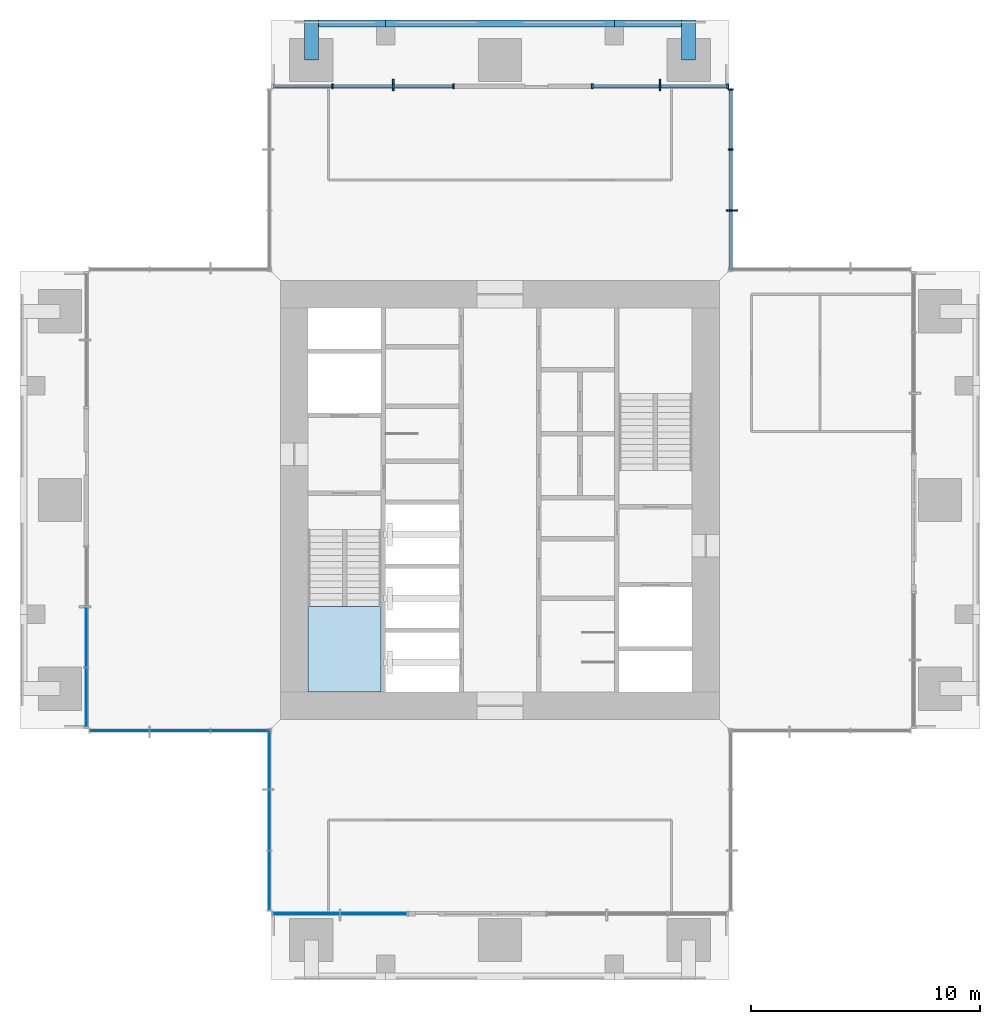
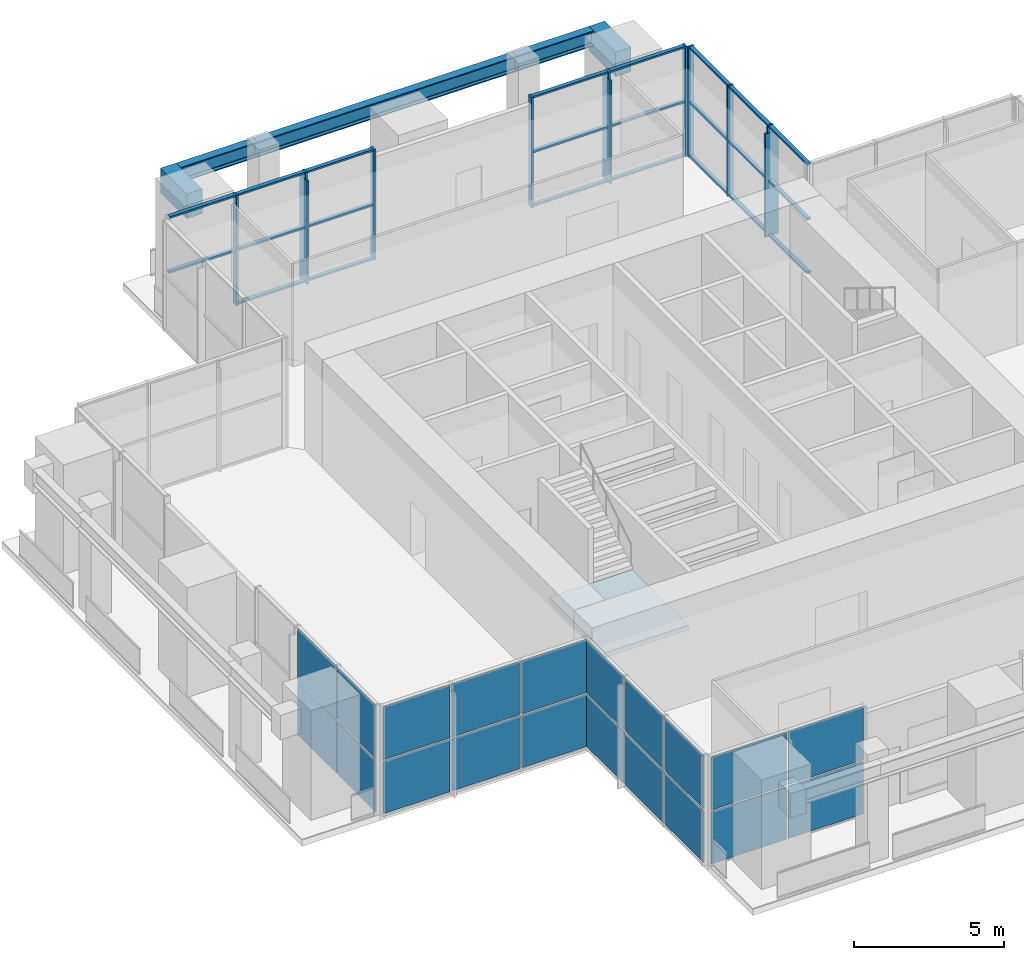
# One storey, part 5 of 11: 35 members, 20 plates, 5 beams, 1 slab, 8 elements without a shape of their own.
"""IFC4 building model written with IfcOpenShell, lengths in metres."""

from ifc_helpers import new_model, si_unit, direction, frame, origin, origin_2d, place, context, subcontext, project, spatial, polyline, rectangle, i_section, outline, extrude, material, layer, layer_set, material_profile, profile_set, type_object, element, aggregate, save


model = new_model("IFC4")

# Units and contexts
model_context = context("Model", 3, precision=1e-05, world=origin(), true_north=direction((0.0, 1.0)))
body_context = subcontext(model_context, "Body", "Model", "MODEL_VIEW")
ifc_project = project(units=[si_unit("LENGTHUNIT", "METRE"), si_unit("AREAUNIT", "SQUARE_METRE"), si_unit("VOLUMEUNIT", "CUBIC_METRE"), si_unit("PLANEANGLEUNIT", "RADIAN"), si_unit("MASSUNIT", "GRAM", prefix="KILO")], contexts=[model_context])

# Site, building, storey
site_placement = place(None, origin())
site = spatial("IfcSite", under=ifc_project, at=site_placement, CompositionType="ELEMENT")
building_placement = place(site_placement, origin())
building = spatial("IfcBuilding", under=site, at=building_placement, Name="Svetlomir Tower", CompositionType="ELEMENT")
storey_placement = place(building_placement, frame((0.0, 0.0, 273.39990234375)))
storey = spatial("IfcBuildingStorey", under=building, at=storey_placement, Name="L65", CompositionType="ELEMENT", Elevation=273.39990234375)

# Curtain wall, member
ifc_material_1 = material(Name="Bronze anodised aluminium curtain wall", Category="aluminium")
curtain_wall_type = type_object("IfcCurtainWallType", Name="CURTAIN WALL CW4 EXECUTIVE", PredefinedType="NOTDEFINED", material=ifc_material_1)
curtain_wall_1_placement = place(storey_placement, origin())
curtain_wall_1 = element("IfcCurtainWall", 1, at=curtain_wall_1_placement, inside=storey, type_object=curtain_wall_type, Name="Curtain wall CW4 L65", PredefinedType="NOTDEFINED")
ifc_material_2 = material(Name="Bronze anodised aluminium", Category="aluminium")
ifc_material_profile_1 = material_profile(ifc_material_2, rectangle(XDim=0.080078125, YDim=0.5, at=origin_2d()), Name="FIN 80x500")
ifc_profile_set_1 = profile_set([ifc_material_profile_1], Name="Bronze anodised aluminium 6063-T6")
member_type_1 = type_object("IfcMemberType", Name="BRONZE FIN 80x500", PredefinedType="USERDEFINED", material=ifc_profile_set_1)
member_1_placement = place(storey_placement, frame((31.14990234375, 33.666748046875, 0.0), z_axis=(0.0, 0.0, 1.0), x_axis=(0.0, 1.0, 0.0)))
member_1 = element("IfcMember", 2, at=member_1_placement, type_object=member_type_1, Name="Bronze fin L65", ObjectType="FIN", PredefinedType="USERDEFINED", context=body_context, shape_type="SweptSolid", body=[
    extrude(rectangle(XDim=0.080078125, YDim=0.5, at=origin_2d()), origin(), (0.0, 0.0, 1.0), 4.2001953125),
])

curtain_wall_2_placement = place(storey_placement, origin())
curtain_wall_2 = element("IfcCurtainWall", 3, at=curtain_wall_2_placement, inside=storey, type_object=curtain_wall_type, Name="Curtain wall CW4 L65", PredefinedType="NOTDEFINED")
member_2_placement = place(storey_placement, frame((28.0, 39.14990234375, 0.0), z_axis=(0.0, 0.0, 1.0), x_axis=(1.0, 0.0, 0.0)))
member_2 = element("IfcMember", 4, at=member_2_placement, type_object=member_type_1, Name="Bronze fin L65", ObjectType="FIN", PredefinedType="USERDEFINED", context=body_context, shape_type="SweptSolid", body=[
    extrude(rectangle(XDim=0.080078125, YDim=0.5, at=origin_2d()), origin(), (0.0, 0.0, 1.0), 4.2001953125),
])

curtain_wall_3_placement = place(storey_placement, origin())
curtain_wall_3 = element("IfcCurtainWall", 5, at=curtain_wall_3_placement, inside=storey, type_object=curtain_wall_type, Name="Curtain wall CW4 L65", PredefinedType="NOTDEFINED")
member_3_placement = place(storey_placement, frame((16.333251953125, 39.14990234375, 0.0), z_axis=(0.0, 0.0, 1.0), x_axis=(1.0, 0.0, 0.0)))
member_3 = element("IfcMember", 6, at=member_3_placement, type_object=member_type_1, Name="Bronze fin L65", ObjectType="FIN", PredefinedType="USERDEFINED", context=body_context, shape_type="SweptSolid", body=[
    extrude(rectangle(XDim=0.080078125, YDim=0.5, at=origin_2d()), origin(), (0.0, 0.0, 1.0), 4.2001953125),
])

# Member
ifc_material_3 = material(Name="Bronze anodised aluminium", Category="aluminium")
ifc_material_profile_2 = material_profile(ifc_material_3, rectangle(XDim=0.074951171875, YDim=0.219970703125, at=origin_2d()), Name="AL 75x220")
ifc_profile_set_2 = profile_set([ifc_material_profile_2], Name="Bronze anodised aluminium 6063-T6")
member_type_2 = type_object("IfcMemberType", Name="CW4 MULLION 75x220", PredefinedType="MULLION", material=ifc_profile_set_2)
member_4_placement = place(storey_placement, frame((31.10009765625, 33.666748046875, 0.0), z_axis=(0.0, 0.0, 1.0), x_axis=(0.0, 1.0, 0.0)))
member_4 = element("IfcMember", 7, at=member_4_placement, type_object=member_type_2, Name="CW4 mullion 2", PredefinedType="MULLION", context=body_context, shape_type="SweptSolid", body=[
    extrude(rectangle(XDim=0.074951171875, YDim=0.219970703125, at=origin_2d()), origin(), (0.0, 0.0, 1.0), 4.5),
])

member_5_placement = place(storey_placement, frame((31.10009765625, 36.333251953125, 0.0), z_axis=(0.0, 0.0, 1.0), x_axis=(0.0, 1.0, 0.0)))
member_5 = element("IfcMember", 8, at=member_5_placement, type_object=member_type_2, Name="CW4 mullion 3", PredefinedType="MULLION", context=body_context, shape_type="SweptSolid", body=[
    extrude(rectangle(XDim=0.074951171875, YDim=0.219970703125, at=origin_2d()), origin(), (0.0, 0.0, 1.0), 4.5),
])

member_6_placement = place(storey_placement, frame((31.10009765625, 38.96240234375, 0.0), z_axis=(0.0, 0.0, 1.0), x_axis=(0.0, 1.0, 0.0)))
member_6 = element("IfcMember", 9, at=member_6_placement, type_object=member_type_2, Name="CW4 mullion 4", PredefinedType="MULLION", context=body_context, shape_type="SweptSolid", body=[
    extrude(rectangle(XDim=0.074951171875, YDim=0.219970703125, at=origin_2d()), origin(), (0.0, 0.0, 1.0), 4.5),
])

member_7_placement = place(storey_placement, frame((30.96240234375, 39.10009765625, 0.0), z_axis=(0.0, 0.0, 1.0), x_axis=(-1.0, 0.0, 0.0)))
member_7 = element("IfcMember", 10, at=member_7_placement, type_object=member_type_2, Name="CW4 mullion 1", PredefinedType="MULLION", context=body_context, shape_type="SweptSolid", body=[
    extrude(rectangle(XDim=0.074951171875, YDim=0.219970703125, at=origin_2d()), origin(), (0.0, 0.0, 1.0), 4.5),
])

member_8_placement = place(storey_placement, frame((28.0, 39.10009765625, 0.0), z_axis=(0.0, 0.0, 1.0), x_axis=(-1.0, 0.0, 0.0)))
member_8 = element("IfcMember", 11, at=member_8_placement, type_object=member_type_2, Name="CW4 mullion 2", PredefinedType="MULLION", context=body_context, shape_type="SweptSolid", body=[
    extrude(rectangle(XDim=0.074951171875, YDim=0.219970703125, at=origin_2d()), origin(), (0.0, 0.0, 1.0), 4.5),
])

member_9_placement = place(storey_placement, frame((25.03759765625, 39.10009765625, 0.0), z_axis=(0.0, 0.0, 1.0), x_axis=(-1.0, 0.0, 0.0)))
member_9 = element("IfcMember", 12, at=member_9_placement, type_object=member_type_2, Name="CW4 mullion 3", PredefinedType="MULLION", context=body_context, shape_type="SweptSolid", body=[
    extrude(rectangle(XDim=0.074951171875, YDim=0.219970703125, at=origin_2d()), origin(), (0.0, 0.0, 1.0), 4.5),
])

member_10_placement = place(storey_placement, frame((18.96240234375, 39.10009765625, 0.0), z_axis=(0.0, 0.0, 1.0), x_axis=(-1.0, 0.0, 0.0)))
member_10 = element("IfcMember", 13, at=member_10_placement, type_object=member_type_2, Name="CW4 mullion 1", PredefinedType="MULLION", context=body_context, shape_type="SweptSolid", body=[
    extrude(rectangle(XDim=0.074951171875, YDim=0.219970703125, at=origin_2d()), origin(), (0.0, 0.0, 1.0), 4.5),
])

member_11_placement = place(storey_placement, frame((16.333251953125, 39.10009765625, 0.0), z_axis=(0.0, 0.0, 1.0), x_axis=(-1.0, 0.0, 0.0)))
member_11 = element("IfcMember", 14, at=member_11_placement, type_object=member_type_2, Name="CW4 mullion 2", PredefinedType="MULLION", context=body_context, shape_type="SweptSolid", body=[
    extrude(rectangle(XDim=0.074951171875, YDim=0.219970703125, at=origin_2d()), origin(), (0.0, 0.0, 1.0), 4.5),
])

member_12_placement = place(storey_placement, frame((13.666748046875, 39.10009765625, 0.0), z_axis=(0.0, 0.0, 1.0), x_axis=(-1.0, 0.0, 0.0)))
member_12 = element("IfcMember", 15, at=member_12_placement, type_object=member_type_2, Name="CW4 mullion 3", PredefinedType="MULLION", context=body_context, shape_type="SweptSolid", body=[
    extrude(rectangle(XDim=0.074951171875, YDim=0.219970703125, at=origin_2d()), origin(), (0.0, 0.0, 1.0), 4.5),
])

ifc_material_4 = material(Name="Bronze anodised aluminium", Category="aluminium")
ifc_material_profile_3 = material_profile(ifc_material_4, rectangle(XDim=0.14990234375, YDim=0.074951171875, at=origin_2d()), Name="AL 150x75")
ifc_profile_set_3 = profile_set([ifc_material_profile_3], Name="Bronze anodised aluminium 6063-T6")
member_type_3 = type_object("IfcMemberType", Name="CW4 TRANSOM 75x150", PredefinedType="USERDEFINED", material=ifc_profile_set_3)
member_13_placement = place(storey_placement, frame((31.10009765625, 31.074951171875, 0.03759765625), z_axis=(0.0, 1.0, 0.0), x_axis=(-1.0, 0.0, 0.0)))
member_13 = element("IfcMember", 16, at=member_13_placement, type_object=member_type_3, Name="CW4 transom 1.1", ObjectType="TRANSOM", PredefinedType="USERDEFINED", context=body_context, shape_type="SweptSolid", body=[
    extrude(rectangle(XDim=0.14990234375, YDim=0.074951171875, at=origin_2d()), origin(), (0.0, 0.0, 1.0), 2.55419921875),
])

member_14_placement = place(storey_placement, frame((31.10009765625, 31.074951171875, 2.231201171875), z_axis=(0.0, 1.0, 0.0), x_axis=(-1.0, 0.0, 0.0)))
member_14 = element("IfcMember", 17, at=member_14_placement, type_object=member_type_3, Name="CW4 transom 1.2", ObjectType="TRANSOM", PredefinedType="USERDEFINED", context=body_context, shape_type="SweptSolid", body=[
    extrude(rectangle(XDim=0.14990234375, YDim=0.074951171875, at=origin_2d()), origin(), (0.0, 0.0, 1.0), 2.55419921875),
])

member_15_placement = place(storey_placement, frame((31.10009765625, 31.074951171875, 4.462646484375), z_axis=(0.0, 1.0, 0.0), x_axis=(-1.0, 0.0, 0.0)))
member_15 = element("IfcMember", 18, at=member_15_placement, type_object=member_type_3, Name="CW4 transom 1.3", ObjectType="TRANSOM", PredefinedType="USERDEFINED", context=body_context, shape_type="SweptSolid", body=[
    extrude(rectangle(XDim=0.14990234375, YDim=0.074951171875, at=origin_2d()), origin(), (0.0, 0.0, 1.0), 2.55419921875),
])

member_16_placement = place(storey_placement, frame((31.10009765625, 33.7041015625, 0.03759765625), z_axis=(0.0, 1.0, 0.0), x_axis=(-1.0, 0.0, 0.0)))
member_16 = element("IfcMember", 19, at=member_16_placement, type_object=member_type_3, Name="CW4 transom 2.1", ObjectType="TRANSOM", PredefinedType="USERDEFINED", context=body_context, shape_type="SweptSolid", body=[
    extrude(rectangle(XDim=0.14990234375, YDim=0.074951171875, at=origin_2d()), origin(), (0.0, 0.0, 1.0), 2.591796875),
])

member_17_placement = place(storey_placement, frame((31.10009765625, 33.7041015625, 2.231201171875), z_axis=(0.0, 1.0, 0.0), x_axis=(-1.0, 0.0, 0.0)))
member_17 = element("IfcMember", 20, at=member_17_placement, type_object=member_type_3, Name="CW4 transom 2.2", ObjectType="TRANSOM", PredefinedType="USERDEFINED", context=body_context, shape_type="SweptSolid", body=[
    extrude(rectangle(XDim=0.14990234375, YDim=0.074951171875, at=origin_2d()), origin(), (0.0, 0.0, 1.0), 2.591796875),
])

member_18_placement = place(storey_placement, frame((31.10009765625, 33.7041015625, 4.462646484375), z_axis=(0.0, 1.0, 0.0), x_axis=(-1.0, 0.0, 0.0)))
member_18 = element("IfcMember", 21, at=member_18_placement, type_object=member_type_3, Name="CW4 transom 2.3", ObjectType="TRANSOM", PredefinedType="USERDEFINED", context=body_context, shape_type="SweptSolid", body=[
    extrude(rectangle(XDim=0.14990234375, YDim=0.074951171875, at=origin_2d()), origin(), (0.0, 0.0, 1.0), 2.591796875),
])

member_19_placement = place(storey_placement, frame((31.10009765625, 36.370849609375, 0.03759765625), z_axis=(0.0, 1.0, 0.0), x_axis=(-1.0, 0.0, 0.0)))
member_19 = element("IfcMember", 22, at=member_19_placement, type_object=member_type_3, Name="CW4 transom 3.1", ObjectType="TRANSOM", PredefinedType="USERDEFINED", context=body_context, shape_type="SweptSolid", body=[
    extrude(rectangle(XDim=0.14990234375, YDim=0.074951171875, at=origin_2d()), origin(), (0.0, 0.0, 1.0), 2.55419921875),
])

member_20_placement = place(storey_placement, frame((31.10009765625, 36.370849609375, 2.231201171875), z_axis=(0.0, 1.0, 0.0), x_axis=(-1.0, 0.0, 0.0)))
member_20 = element("IfcMember", 23, at=member_20_placement, type_object=member_type_3, Name="CW4 transom 3.2", ObjectType="TRANSOM", PredefinedType="USERDEFINED", context=body_context, shape_type="SweptSolid", body=[
    extrude(rectangle(XDim=0.14990234375, YDim=0.074951171875, at=origin_2d()), origin(), (0.0, 0.0, 1.0), 2.55419921875),
])

member_21_placement = place(storey_placement, frame((31.10009765625, 36.370849609375, 4.462646484375), z_axis=(0.0, 1.0, 0.0), x_axis=(-1.0, 0.0, 0.0)))
member_21 = element("IfcMember", 24, at=member_21_placement, type_object=member_type_3, Name="CW4 transom 3.3", ObjectType="TRANSOM", PredefinedType="USERDEFINED", context=body_context, shape_type="SweptSolid", body=[
    extrude(rectangle(XDim=0.14990234375, YDim=0.074951171875, at=origin_2d()), origin(), (0.0, 0.0, 1.0), 2.55419921875),
])

aggregate(curtain_wall_1, [member_4, member_5, member_6, member_13, member_14, member_15, member_16, member_17, member_18, member_19, member_20, member_21, member_1])

member_22_placement = place(storey_placement, frame((30.925048828125, 39.10009765625, 0.03759765625), z_axis=(-1.0, 0.0, 0.0), x_axis=(0.0, -1.0, 0.0)))
member_22 = element("IfcMember", 25, at=member_22_placement, type_object=member_type_3, Name="CW4 transom 1.1", ObjectType="TRANSOM", PredefinedType="USERDEFINED", context=body_context, shape_type="SweptSolid", body=[
    extrude(rectangle(XDim=0.14990234375, YDim=0.074951171875, at=origin_2d()), origin(), (0.0, 0.0, 1.0), 2.887451171875),
])

member_23_placement = place(storey_placement, frame((30.925048828125, 39.10009765625, 2.231201171875), z_axis=(-1.0, 0.0, 0.0), x_axis=(0.0, -1.0, 0.0)))
member_23 = element("IfcMember", 26, at=member_23_placement, type_object=member_type_3, Name="CW4 transom 1.2", ObjectType="TRANSOM", PredefinedType="USERDEFINED", context=body_context, shape_type="SweptSolid", body=[
    extrude(rectangle(XDim=0.14990234375, YDim=0.074951171875, at=origin_2d()), origin(), (0.0, 0.0, 1.0), 2.887451171875),
])

member_24_placement = place(storey_placement, frame((30.925048828125, 39.10009765625, 4.462646484375), z_axis=(-1.0, 0.0, 0.0), x_axis=(0.0, -1.0, 0.0)))
member_24 = element("IfcMember", 27, at=member_24_placement, type_object=member_type_3, Name="CW4 transom 1.3", ObjectType="TRANSOM", PredefinedType="USERDEFINED", context=body_context, shape_type="SweptSolid", body=[
    extrude(rectangle(XDim=0.14990234375, YDim=0.074951171875, at=origin_2d()), origin(), (0.0, 0.0, 1.0), 2.887451171875),
])

member_25_placement = place(storey_placement, frame((27.96240234375, 39.10009765625, 0.03759765625), z_axis=(-1.0, 0.0, 0.0), x_axis=(0.0, -1.0, 0.0)))
member_25 = element("IfcMember", 28, at=member_25_placement, type_object=member_type_3, Name="CW4 transom 2.1", ObjectType="TRANSOM", PredefinedType="USERDEFINED", context=body_context, shape_type="SweptSolid", body=[
    extrude(rectangle(XDim=0.14990234375, YDim=0.074951171875, at=origin_2d()), origin(), (0.0, 0.0, 1.0), 2.887451171875),
])

member_26_placement = place(storey_placement, frame((27.96240234375, 39.10009765625, 2.231201171875), z_axis=(-1.0, 0.0, 0.0), x_axis=(0.0, -1.0, 0.0)))
member_26 = element("IfcMember", 29, at=member_26_placement, type_object=member_type_3, Name="CW4 transom 2.2", ObjectType="TRANSOM", PredefinedType="USERDEFINED", context=body_context, shape_type="SweptSolid", body=[
    extrude(rectangle(XDim=0.14990234375, YDim=0.074951171875, at=origin_2d()), origin(), (0.0, 0.0, 1.0), 2.887451171875),
])

member_27_placement = place(storey_placement, frame((27.96240234375, 39.10009765625, 4.462646484375), z_axis=(-1.0, 0.0, 0.0), x_axis=(0.0, -1.0, 0.0)))
member_27 = element("IfcMember", 30, at=member_27_placement, type_object=member_type_3, Name="CW4 transom 2.3", ObjectType="TRANSOM", PredefinedType="USERDEFINED", context=body_context, shape_type="SweptSolid", body=[
    extrude(rectangle(XDim=0.14990234375, YDim=0.074951171875, at=origin_2d()), origin(), (0.0, 0.0, 1.0), 2.887451171875),
])

aggregate(curtain_wall_2, [member_7, member_8, member_9, member_22, member_23, member_24, member_25, member_26, member_27, member_2])

member_28_placement = place(storey_placement, frame((18.925048828125, 39.10009765625, 0.03759765625), z_axis=(-1.0, 0.0, 0.0), x_axis=(0.0, -1.0, 0.0)))
member_28 = element("IfcMember", 31, at=member_28_placement, type_object=member_type_3, Name="CW4 transom 1.1", ObjectType="TRANSOM", PredefinedType="USERDEFINED", context=body_context, shape_type="SweptSolid", body=[
    extrude(rectangle(XDim=0.14990234375, YDim=0.074951171875, at=origin_2d()), origin(), (0.0, 0.0, 1.0), 2.55419921875),
])

member_29_placement = place(storey_placement, frame((18.925048828125, 39.10009765625, 2.231201171875), z_axis=(-1.0, 0.0, 0.0), x_axis=(0.0, -1.0, 0.0)))
member_29 = element("IfcMember", 32, at=member_29_placement, type_object=member_type_3, Name="CW4 transom 1.2", ObjectType="TRANSOM", PredefinedType="USERDEFINED", context=body_context, shape_type="SweptSolid", body=[
    extrude(rectangle(XDim=0.14990234375, YDim=0.074951171875, at=origin_2d()), origin(), (0.0, 0.0, 1.0), 2.55419921875),
])

member_30_placement = place(storey_placement, frame((18.925048828125, 39.10009765625, 4.462646484375), z_axis=(-1.0, 0.0, 0.0), x_axis=(0.0, -1.0, 0.0)))
member_30 = element("IfcMember", 33, at=member_30_placement, type_object=member_type_3, Name="CW4 transom 1.3", ObjectType="TRANSOM", PredefinedType="USERDEFINED", context=body_context, shape_type="SweptSolid", body=[
    extrude(rectangle(XDim=0.14990234375, YDim=0.074951171875, at=origin_2d()), origin(), (0.0, 0.0, 1.0), 2.55419921875),
])

member_31_placement = place(storey_placement, frame((16.2958984375, 39.10009765625, 0.03759765625), z_axis=(-1.0, 0.0, 0.0), x_axis=(0.0, -1.0, 0.0)))
member_31 = element("IfcMember", 34, at=member_31_placement, type_object=member_type_3, Name="CW4 transom 2.1", ObjectType="TRANSOM", PredefinedType="USERDEFINED", context=body_context, shape_type="SweptSolid", body=[
    extrude(rectangle(XDim=0.14990234375, YDim=0.074951171875, at=origin_2d()), origin(), (0.0, 0.0, 1.0), 2.591796875),
])

member_32_placement = place(storey_placement, frame((16.2958984375, 39.10009765625, 2.231201171875), z_axis=(-1.0, 0.0, 0.0), x_axis=(0.0, -1.0, 0.0)))
member_32 = element("IfcMember", 35, at=member_32_placement, type_object=member_type_3, Name="CW4 transom 2.2", ObjectType="TRANSOM", PredefinedType="USERDEFINED", context=body_context, shape_type="SweptSolid", body=[
    extrude(rectangle(XDim=0.14990234375, YDim=0.074951171875, at=origin_2d()), origin(), (0.0, 0.0, 1.0), 2.591796875),
])

member_33_placement = place(storey_placement, frame((16.2958984375, 39.10009765625, 4.462646484375), z_axis=(-1.0, 0.0, 0.0), x_axis=(0.0, -1.0, 0.0)))
member_33 = element("IfcMember", 36, at=member_33_placement, type_object=member_type_3, Name="CW4 transom 2.3", ObjectType="TRANSOM", PredefinedType="USERDEFINED", context=body_context, shape_type="SweptSolid", body=[
    extrude(rectangle(XDim=0.14990234375, YDim=0.074951171875, at=origin_2d()), origin(), (0.0, 0.0, 1.0), 2.591796875),
])

member_34_placement = place(storey_placement, frame((13.629150390625, 39.10009765625, 2.231201171875), z_axis=(-1.0, 0.0, 0.0), x_axis=(0.0, -1.0, 0.0)))
member_34 = element("IfcMember", 37, at=member_34_placement, type_object=member_type_3, Name="CW4 transom 3.2", ObjectType="TRANSOM", PredefinedType="USERDEFINED", context=body_context, shape_type="SweptSolid", body=[
    extrude(rectangle(XDim=0.14990234375, YDim=0.074951171875, at=origin_2d()), origin(), (0.0, 0.0, 1.0), 2.55419921875),
])

member_35_placement = place(storey_placement, frame((13.629150390625, 39.10009765625, 4.462646484375), z_axis=(-1.0, 0.0, 0.0), x_axis=(0.0, -1.0, 0.0)))
member_35 = element("IfcMember", 38, at=member_35_placement, type_object=member_type_3, Name="CW4 transom 3.3", ObjectType="TRANSOM", PredefinedType="USERDEFINED", context=body_context, shape_type="SweptSolid", body=[
    extrude(rectangle(XDim=0.14990234375, YDim=0.074951171875, at=origin_2d()), origin(), (0.0, 0.0, 1.0), 2.55419921875),
])

aggregate(curtain_wall_3, [member_10, member_11, member_12, member_28, member_29, member_30, member_31, member_32, member_33, member_34, member_35, member_3])

# Beams
ifc_material_5 = material(Name="Steel S355", Category="steel")
ifc_material_profile_4 = material_profile(ifc_material_5, i_section(OverallWidth=0.304931640625, OverallDepth=0.6201171875, WebThickness=0.02099609375, FlangeThickness=0.0400390625, FilletRadius=0.027099609375, at=origin_2d()), Name="HEM 600")
ifc_profile_set_4 = profile_set([ifc_material_profile_4], Name="Steel S355")
beam_type_1 = type_object("IfcBeamType", Name="EDGE BEAM HEM 600", PredefinedType="SPANDREL", material=ifc_profile_set_4)
beam_1_placement = place(storey_placement, frame((13.050048828125, 41.847412109375, 3.89013671875), z_axis=(1.0, 0.0, 0.0), x_axis=(0.0, 1.0, 0.0)))
element("IfcBeam", 39, at=beam_1_placement, inside=storey, type_object=beam_type_1, Name="Edge beam 11/42 to 16/42 under L66", PredefinedType="SPANDREL", context=body_context, shape_type="SweptSolid", body=[
    extrude(i_section(OverallWidth=0.304931640625, OverallDepth=0.6201171875, WebThickness=0.02099609375, FlangeThickness=0.0400390625, FilletRadius=0.027099609375, at=origin_2d()), origin(), (0.0, 0.0, 1.0), 2.949951171875),
])
beam_2_placement = place(storey_placement, frame((16.0, 41.847412109375, 3.89013671875), z_axis=(1.0, 0.0, 0.0), x_axis=(0.0, 1.0, 0.0)))
element("IfcBeam", 40, at=beam_2_placement, inside=storey, type_object=beam_type_1, Name="Edge beam 16/42 to 26/42 under L66", PredefinedType="SPANDREL", context=body_context, shape_type="SweptSolid", body=[
    extrude(i_section(OverallWidth=0.304931640625, OverallDepth=0.6201171875, WebThickness=0.02099609375, FlangeThickness=0.0400390625, FilletRadius=0.027099609375, at=origin_2d()), origin(), (0.0, 0.0, 1.0), 10.0),
])
beam_3_placement = place(storey_placement, frame((26.0, 41.847412109375, 3.89013671875), z_axis=(1.0, 0.0, 0.0), x_axis=(0.0, 1.0, 0.0)))
element("IfcBeam", 41, at=beam_3_placement, inside=storey, type_object=beam_type_1, Name="Edge beam 26/42 to 31/42 under L66", PredefinedType="SPANDREL", context=body_context, shape_type="SweptSolid", body=[
    extrude(i_section(OverallWidth=0.304931640625, OverallDepth=0.6201171875, WebThickness=0.02099609375, FlangeThickness=0.0400390625, FilletRadius=0.027099609375, at=origin_2d()), origin(), (0.0, 0.0, 1.0), 2.949951171875),
])
ifc_material_6 = material(Name="Concrete C60/75", Category="concrete")
ifc_material_profile_5 = material_profile(ifc_material_6, rectangle(XDim=0.60009765625, YDim=1.0, at=origin_2d()), Name="RC 600x1000")
ifc_profile_set_5 = profile_set([ifc_material_profile_5], Name="Concrete C60/75")
beam_type_2 = type_object("IfcBeamType", Name="EDGE LINK BEAM RC 600x1000", PredefinedType="BEAM", material=ifc_profile_set_5)
for number, where, z_axis, x_axis, name in (
    (42, (12.75, 40.25, 3.7001953125), (0.0, 1.0, 0.0), (-1.0, 0.0, 0.0), "Edge link beam N 11/42 under L66"),
    (43, (29.25, 40.25, 3.7001953125), (0.0, 1.0, 0.0), (-1.0, 0.0, 0.0), "Edge link beam N 31/42 under L66"),
):
    element("IfcBeam", number, at=place(storey_placement, frame(where, z_axis=z_axis, x_axis=x_axis)), inside=storey, type_object=beam_type_2, Name=name, PredefinedType="BEAM", context=body_context, shape_type="SweptSolid", body=[
        extrude(rectangle(XDim=0.60009765625, YDim=1.0, at=origin_2d()), origin(), (0.0, 0.0, 1.0), 1.75),
    ])

# Curtain wall, plates
curtain_wall_4_placement = place(storey_placement, origin())
curtain_wall_4 = element("IfcCurtainWall", 44, at=curtain_wall_4_placement, inside=storey, type_object=curtain_wall_type, Name="Curtain wall CW4 L65", PredefinedType="NOTDEFINED")
ifc_material_7 = material(Name="Tinted double glazed unit", Category="glass")
ifc_layer_1 = layer(ifc_material_7, 0.035888671875)
ifc_layer_set_1 = layer_set([ifc_layer_1], Name="Tinted double glazed unit")
plate_type = type_object("IfcPlateType", Name="CW4 GLAZED PANEL 36", PredefinedType="CURTAIN_PANEL", material=ifc_layer_set_1)
plate_1_placement = place(storey_placement, frame((12.518798828125, 2.89990234375, 0.0751953125), z_axis=(0.0, 0.0, 1.0), x_axis=(1.0, 0.0, 0.0)))
plate_1 = element("IfcPlate", 45, at=plate_1_placement, type_object=plate_type, Name="CW4 panel 1.1", PredefinedType="CURTAIN_PANEL", context=body_context, shape_type="SweptSolid", body=[
    extrude(rectangle(XDim=2.887451171875, YDim=0.035888671875, at=origin_2d()), origin(), (0.0, 0.0, 1.0), 2.11865234375),
])
plate_2_placement = place(storey_placement, frame((12.518798828125, 2.89990234375, 2.268798828125), z_axis=(0.0, 0.0, 1.0), x_axis=(1.0, 0.0, 0.0)))
plate_2 = element("IfcPlate", 46, at=plate_2_placement, type_object=plate_type, Name="CW4 panel 1.2", PredefinedType="CURTAIN_PANEL", context=body_context, shape_type="SweptSolid", body=[
    extrude(rectangle(XDim=2.887451171875, YDim=0.035888671875, at=origin_2d()), origin(), (0.0, 0.0, 1.0), 2.15625),
])
plate_3_placement = place(storey_placement, frame((15.481201171875, 2.89990234375, 0.0751953125), z_axis=(0.0, 0.0, 1.0), x_axis=(1.0, 0.0, 0.0)))
plate_3 = element("IfcPlate", 47, at=plate_3_placement, type_object=plate_type, Name="CW4 panel 2.1", PredefinedType="CURTAIN_PANEL", context=body_context, shape_type="SweptSolid", body=[
    extrude(rectangle(XDim=2.887451171875, YDim=0.035888671875, at=origin_2d()), origin(), (0.0, 0.0, 1.0), 2.11865234375),
])
plate_4_placement = place(storey_placement, frame((15.481201171875, 2.89990234375, 2.268798828125), z_axis=(0.0, 0.0, 1.0), x_axis=(1.0, 0.0, 0.0)))
plate_4 = element("IfcPlate", 48, at=plate_4_placement, type_object=plate_type, Name="CW4 panel 2.2", PredefinedType="CURTAIN_PANEL", context=body_context, shape_type="SweptSolid", body=[
    extrude(rectangle(XDim=2.887451171875, YDim=0.035888671875, at=origin_2d()), origin(), (0.0, 0.0, 1.0), 2.15625),
])
aggregate(curtain_wall_4, [plate_1, plate_2, plate_3, plate_4])

curtain_wall_5_placement = place(storey_placement, origin())
curtain_wall_5 = element("IfcCurtainWall", 49, at=curtain_wall_5_placement, inside=storey, type_object=curtain_wall_type, Name="Curtain wall CW4 L65", PredefinedType="NOTDEFINED")
plate_5_placement = place(storey_placement, frame((2.89990234375, 15.0, 0.0751953125), z_axis=(0.0, 0.0, 1.0), x_axis=(0.0, -1.0, 0.0)))
plate_5 = element("IfcPlate", 50, at=plate_5_placement, type_object=plate_type, Name="CW4 panel 2.1", PredefinedType="CURTAIN_PANEL", context=body_context, shape_type="SweptSolid", body=[
    extrude(rectangle(XDim=2.591552734375, YDim=0.035888671875, at=origin_2d()), origin(), (0.0, 0.0, 1.0), 2.11865234375),
])
plate_6_placement = place(storey_placement, frame((2.89990234375, 15.0, 2.268798828125), z_axis=(0.0, 0.0, 1.0), x_axis=(0.0, -1.0, 0.0)))
plate_6 = element("IfcPlate", 51, at=plate_6_placement, type_object=plate_type, Name="CW4 panel 2.2", PredefinedType="CURTAIN_PANEL", context=body_context, shape_type="SweptSolid", body=[
    extrude(rectangle(XDim=2.591552734375, YDim=0.035888671875, at=origin_2d()), origin(), (0.0, 0.0, 1.0), 2.15625),
])
plate_7_placement = place(storey_placement, frame((2.89990234375, 12.35205078125, 0.0751953125), z_axis=(0.0, 0.0, 1.0), x_axis=(0.0, -1.0, 0.0)))
plate_7 = element("IfcPlate", 52, at=plate_7_placement, type_object=plate_type, Name="CW4 panel 3.1", PredefinedType="CURTAIN_PANEL", context=body_context, shape_type="SweptSolid", body=[
    extrude(rectangle(XDim=2.55419921875, YDim=0.035888671875, at=origin_2d()), origin(), (0.0, 0.0, 1.0), 2.11865234375),
])
plate_8_placement = place(storey_placement, frame((2.89990234375, 12.35205078125, 2.268798828125), z_axis=(0.0, 0.0, 1.0), x_axis=(0.0, -1.0, 0.0)))
plate_8 = element("IfcPlate", 53, at=plate_8_placement, type_object=plate_type, Name="CW4 panel 3.2", PredefinedType="CURTAIN_PANEL", context=body_context, shape_type="SweptSolid", body=[
    extrude(rectangle(XDim=2.55419921875, YDim=0.035888671875, at=origin_2d()), origin(), (0.0, 0.0, 1.0), 2.15625),
])
aggregate(curtain_wall_5, [plate_5, plate_6, plate_7, plate_8])

curtain_wall_6_placement = place(storey_placement, origin())
curtain_wall_6 = element("IfcCurtainWall", 54, at=curtain_wall_6_placement, inside=storey, type_object=curtain_wall_type, Name="Curtain wall CW4 L65", PredefinedType="NOTDEFINED")
plate_9_placement = place(storey_placement, frame((4.35205078125, 10.89990234375, 0.0751953125), z_axis=(0.0, 0.0, 1.0), x_axis=(1.0, 0.0, 0.0)))
plate_9 = element("IfcPlate", 55, at=plate_9_placement, type_object=plate_type, Name="CW4 panel 1.1", PredefinedType="CURTAIN_PANEL", context=body_context, shape_type="SweptSolid", body=[
    extrude(rectangle(XDim=2.55419921875, YDim=0.035888671875, at=origin_2d()), origin(), (0.0, 0.0, 1.0), 2.11865234375),
])
plate_10_placement = place(storey_placement, frame((4.35205078125, 10.89990234375, 2.268798828125), z_axis=(0.0, 0.0, 1.0), x_axis=(1.0, 0.0, 0.0)))
plate_10 = element("IfcPlate", 56, at=plate_10_placement, type_object=plate_type, Name="CW4 panel 1.2", PredefinedType="CURTAIN_PANEL", context=body_context, shape_type="SweptSolid", body=[
    extrude(rectangle(XDim=2.55419921875, YDim=0.035888671875, at=origin_2d()), origin(), (0.0, 0.0, 1.0), 2.15625),
])
plate_11_placement = place(storey_placement, frame((7.0, 10.89990234375, 0.0751953125), z_axis=(0.0, 0.0, 1.0), x_axis=(1.0, 0.0, 0.0)))
plate_11 = element("IfcPlate", 57, at=plate_11_placement, type_object=plate_type, Name="CW4 panel 2.1", PredefinedType="CURTAIN_PANEL", context=body_context, shape_type="SweptSolid", body=[
    extrude(rectangle(XDim=2.591552734375, YDim=0.035888671875, at=origin_2d()), origin(), (0.0, 0.0, 1.0), 2.11865234375),
])
plate_12_placement = place(storey_placement, frame((7.0, 10.89990234375, 2.268798828125), z_axis=(0.0, 0.0, 1.0), x_axis=(1.0, 0.0, 0.0)))
plate_12 = element("IfcPlate", 58, at=plate_12_placement, type_object=plate_type, Name="CW4 panel 2.2", PredefinedType="CURTAIN_PANEL", context=body_context, shape_type="SweptSolid", body=[
    extrude(rectangle(XDim=2.591552734375, YDim=0.035888671875, at=origin_2d()), origin(), (0.0, 0.0, 1.0), 2.15625),
])
plate_13_placement = place(storey_placement, frame((9.64794921875, 10.89990234375, 0.0751953125), z_axis=(0.0, 0.0, 1.0), x_axis=(1.0, 0.0, 0.0)))
plate_13 = element("IfcPlate", 59, at=plate_13_placement, type_object=plate_type, Name="CW4 panel 3.1", PredefinedType="CURTAIN_PANEL", context=body_context, shape_type="SweptSolid", body=[
    extrude(rectangle(XDim=2.55419921875, YDim=0.035888671875, at=origin_2d()), origin(), (0.0, 0.0, 1.0), 2.11865234375),
])
plate_14_placement = place(storey_placement, frame((9.64794921875, 10.89990234375, 2.268798828125), z_axis=(0.0, 0.0, 1.0), x_axis=(1.0, 0.0, 0.0)))
plate_14 = element("IfcPlate", 60, at=plate_14_placement, type_object=plate_type, Name="CW4 panel 3.2", PredefinedType="CURTAIN_PANEL", context=body_context, shape_type="SweptSolid", body=[
    extrude(rectangle(XDim=2.55419921875, YDim=0.035888671875, at=origin_2d()), origin(), (0.0, 0.0, 1.0), 2.15625),
])
aggregate(curtain_wall_6, [plate_9, plate_10, plate_11, plate_12, plate_13, plate_14])

curtain_wall_7_placement = place(storey_placement, origin())
curtain_wall_7 = element("IfcCurtainWall", 61, at=curtain_wall_7_placement, inside=storey, type_object=curtain_wall_type, Name="Curtain wall CW4 L65", PredefinedType="NOTDEFINED")
plate_15_placement = place(storey_placement, frame((10.89990234375, 9.64794921875, 0.0751953125), z_axis=(0.0, 0.0, 1.0), x_axis=(0.0, -1.0, 0.0)))
plate_15 = element("IfcPlate", 62, at=plate_15_placement, type_object=plate_type, Name="CW4 panel 1.1", PredefinedType="CURTAIN_PANEL", context=body_context, shape_type="SweptSolid", body=[
    extrude(rectangle(XDim=2.55419921875, YDim=0.035888671875, at=origin_2d()), origin(), (0.0, 0.0, 1.0), 2.11865234375),
])
plate_16_placement = place(storey_placement, frame((10.89990234375, 9.64794921875, 2.268798828125), z_axis=(0.0, 0.0, 1.0), x_axis=(0.0, -1.0, 0.0)))
plate_16 = element("IfcPlate", 63, at=plate_16_placement, type_object=plate_type, Name="CW4 panel 1.2", PredefinedType="CURTAIN_PANEL", context=body_context, shape_type="SweptSolid", body=[
    extrude(rectangle(XDim=2.55419921875, YDim=0.035888671875, at=origin_2d()), origin(), (0.0, 0.0, 1.0), 2.15625),
])
plate_17_placement = place(storey_placement, frame((10.89990234375, 7.0, 0.0751953125), z_axis=(0.0, 0.0, 1.0), x_axis=(0.0, -1.0, 0.0)))
plate_17 = element("IfcPlate", 64, at=plate_17_placement, type_object=plate_type, Name="CW4 panel 2.1", PredefinedType="CURTAIN_PANEL", context=body_context, shape_type="SweptSolid", body=[
    extrude(rectangle(XDim=2.591552734375, YDim=0.035888671875, at=origin_2d()), origin(), (0.0, 0.0, 1.0), 2.11865234375),
])
plate_18_placement = place(storey_placement, frame((10.89990234375, 7.0, 2.268798828125), z_axis=(0.0, 0.0, 1.0), x_axis=(0.0, -1.0, 0.0)))
plate_18 = element("IfcPlate", 65, at=plate_18_placement, type_object=plate_type, Name="CW4 panel 2.2", PredefinedType="CURTAIN_PANEL", context=body_context, shape_type="SweptSolid", body=[
    extrude(rectangle(XDim=2.591552734375, YDim=0.035888671875, at=origin_2d()), origin(), (0.0, 0.0, 1.0), 2.15625),
])
plate_19_placement = place(storey_placement, frame((10.89990234375, 4.35205078125, 0.0751953125), z_axis=(0.0, 0.0, 1.0), x_axis=(0.0, -1.0, 0.0)))
plate_19 = element("IfcPlate", 66, at=plate_19_placement, type_object=plate_type, Name="CW4 panel 3.1", PredefinedType="CURTAIN_PANEL", context=body_context, shape_type="SweptSolid", body=[
    extrude(rectangle(XDim=2.55419921875, YDim=0.035888671875, at=origin_2d()), origin(), (0.0, 0.0, 1.0), 2.11865234375),
])
plate_20_placement = place(storey_placement, frame((10.89990234375, 4.35205078125, 2.268798828125), z_axis=(0.0, 0.0, 1.0), x_axis=(0.0, -1.0, 0.0)))
plate_20 = element("IfcPlate", 67, at=plate_20_placement, type_object=plate_type, Name="CW4 panel 3.2", PredefinedType="CURTAIN_PANEL", context=body_context, shape_type="SweptSolid", body=[
    extrude(rectangle(XDim=2.55419921875, YDim=0.035888671875, at=origin_2d()), origin(), (0.0, 0.0, 1.0), 2.15625),
])
aggregate(curtain_wall_7, [plate_15, plate_16, plate_17, plate_18, plate_19, plate_20])

# Stair, slab
ifc_material_8 = material(Name="Concrete C60/75", Category="concrete")
stair_type = type_object("IfcStairType", Name="EXIT STAIR 3200 RISE 4500", PredefinedType="HALF_TURN_STAIR", material=ifc_material_8)
stair_placement = place(storey_placement, origin())
stair = element("IfcStair", 68, at=stair_placement, inside=storey, type_object=stair_type, Name="Stair S1 L65 to L66", PredefinedType="HALF_TURN_STAIR")
ifc_material_9 = material(Name="Concrete C60/75", Category="concrete")
ifc_layer_2 = layer(ifc_material_9, 0.199951171875)
ifc_layer_set_2 = layer_set([ifc_layer_2], Name="Concrete C60/75")
slab_type = type_object("IfcSlabType", Name="STAIR LANDING 200", PredefinedType="LANDING", material=ifc_layer_set_2)
slab_placement = place(storey_placement, frame((0.0, 0.0, 2.050048828125)))
slab = element("IfcSlab", 69, at=slab_placement, type_object=slab_type, Name="S1 landing 1", PredefinedType="LANDING", context=body_context, shape_type="SweptSolid", body=[
    extrude(outline(polyline([(12.60009765625, 12.60009765625), (15.800048828125, 12.60009765625), (15.800048828125, 16.340087890625), (12.60009765625, 16.340087890625), (12.60009765625, 12.60009765625)])), origin(), (0.0, 0.0, 1.0), 0.199951171875),
])
aggregate(stair, [slab])

save(model, "model.ifc")
